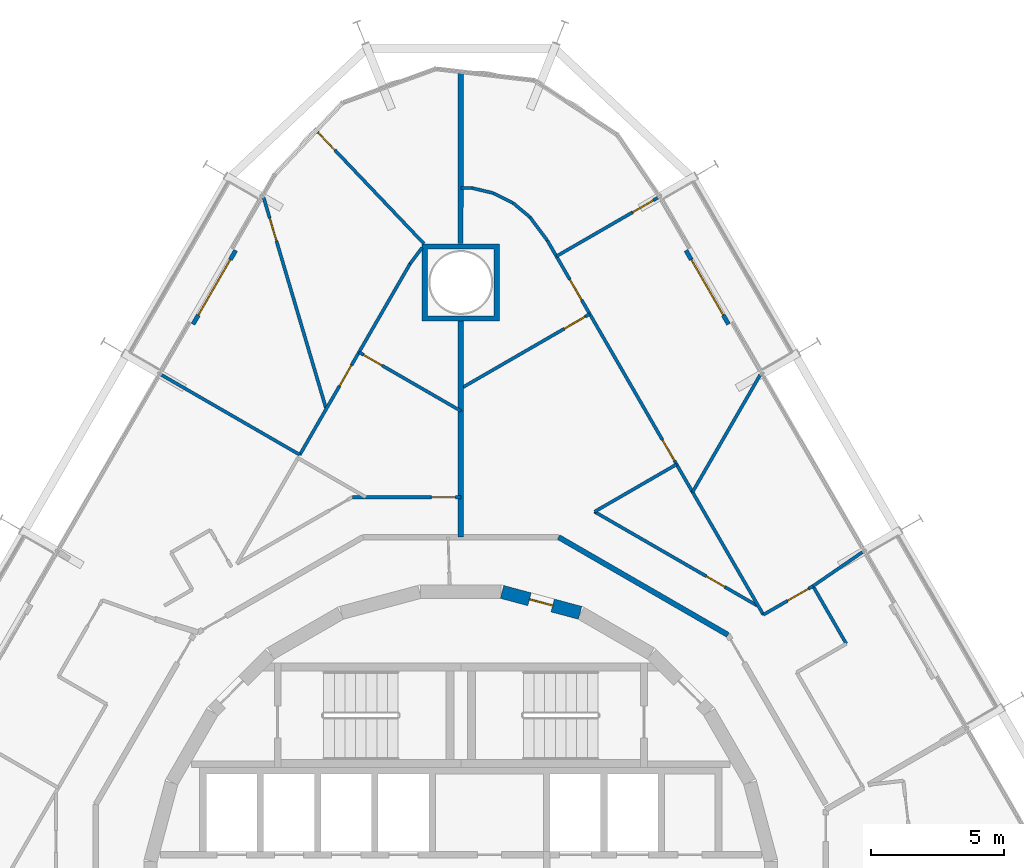
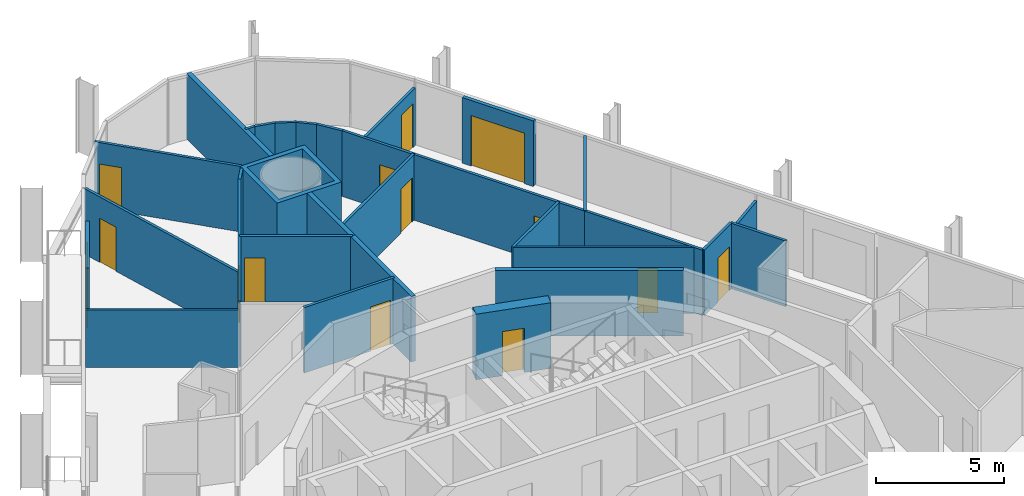
# One storey, part 18 of 21: 30 walls, 14 doors, 14 openings.
"""IFC4 building model written with IfcOpenShell, lengths in metres."""

from ifc_helpers import new_model, si_unit, direction, frame, frame_2d, origin, place, context, subcontext, project, spatial, polyline, rectangle, outline, extrude, material, layer, layer_set, type_object, element, fill, save


model = new_model("IFC4")

# Units and contexts
model_context = context("Model", 3, precision=1e-05, world=origin(), true_north=direction((0.0, 1.0)))
body_context = subcontext(model_context, "Body", "Model", "MODEL_VIEW")
ifc_project = project(units=[si_unit("LENGTHUNIT", "METRE"), si_unit("AREAUNIT", "SQUARE_METRE"), si_unit("VOLUMEUNIT", "CUBIC_METRE"), si_unit("PLANEANGLEUNIT", "RADIAN"), si_unit("MASSUNIT", "GRAM", prefix="KILO")], contexts=[model_context])

# Site, building, storey
site_placement = place(None, origin())
site = spatial("IfcSite", under=ifc_project, at=site_placement, CompositionType="ELEMENT")
building_placement = place(site_placement, origin())
building = spatial("IfcBuilding", under=site, at=building_placement, Name="Spindle Arch Residences", CompositionType="ELEMENT")
storey_placement = place(building_placement, frame((0.0, 0.0, 62.89990234375)))
storey = spatial("IfcBuildingStorey", under=building, at=storey_placement, Name="L14", CompositionType="ELEMENT", Elevation=62.89990234375)

# Wall, opening, door
ifc_material_1 = material(Name="Concrete C50/60", Category="concrete")
ifc_layer_1 = layer(ifc_material_1, 0.5)
ifc_layer_set_1 = layer_set([ifc_layer_1], Name="Core outline wall 500")
wall_type_1 = type_object("IfcWallType", Name="Core outline wall 500", PredefinedType="SHEAR", material=ifc_layer_set_1)
wall_1_placement = place(storey_placement, frame((4.479248046875, 10.858154296875, 0.0), z_axis=(0.0, 0.0, 1.0), x_axis=(-0.965948410781, 0.258734743916, 0.0)))
wall_1 = element("IfcWall", 1, at=wall_1_placement, inside=storey, type_object=wall_type_1, Name="Core outline wall 11", PredefinedType="SHEAR", context=body_context, shape_type="SweptSolid", body=[
    extrude(rectangle(XDim=3.03271484375, YDim=0.5, at=frame_2d((1.516357421875, 0.0))), origin(), (0.0, 0.0, 1.0), 3.1201171875),
])
opening_1_placement = place(wall_1_placement, frame((1.066162109375, 0.0, 0.0)))
opening_1 = element("IfcOpeningElement", 2, at=opening_1_placement, cuts=wall_1, Name="Opening R1C1-WD09", PredefinedType="OPENING", context=body_context, shape_type="SweptSolid", body=[
    extrude(rectangle(XDim=0.89990234375, YDim=2.10009765625, at=frame_2d((0.449951171875, 1.050048828125))), frame((0.0, 0.260009765625, 0.0), z_axis=(0.0, -1.0, 0.0), x_axis=(1.0, 0.0, 0.0)), (0.0, 0.0, 1.0), 0.52001953125),
])
ifc_material_2 = material(Name="Steel, fire-resisting door", Category="steel")
door_type_1 = type_object("IfcDoorType", Name="Service room door 900x2100", OperationType="SINGLE_SWING_LEFT", PredefinedType="DOOR", material=ifc_material_2)
door_1_placement = place(opening_1_placement, origin())
door_1 = element("IfcDoor", 3, at=door_1_placement, inside=storey, type_object=door_type_1, Name="Service room door R1C1-WD09", OperationType="SINGLE_SWING_RIGHT", OverallHeight=2.10009765625, OverallWidth=0.89990234375, PredefinedType="DOOR", context=body_context, shape_type="SweptSolid", body=[
    extrude(rectangle(XDim=0.89990234375, YDim=2.10009765625, at=frame_2d((0.449951171875, 1.050048828125))), frame((0.0, 0.02490234375, 0.0), z_axis=(0.0, -1.0, 0.0), x_axis=(1.0, 0.0, 0.0)), (0.0, 0.0, 1.0), 0.050048828125),
])
fill(opening_1, door_1)

# Walls
ifc_material_3 = material(Name="Calcium silicate block, plastered")
ifc_layer_2 = layer(ifc_material_3, 0.199951171875)
ifc_layer_set_2 = layer_set([ifc_layer_2], Name="Corridor wall 200")
wall_type_2 = type_object("IfcWallType", Name="Corridor wall 200", PredefinedType="STANDARD", material=ifc_layer_set_2)
wall_2_placement = place(storey_placement, frame((10.029052734375, 10.029052734375, 0.0), z_axis=(0.0, 0.0, 1.0), x_axis=(-0.866024439905, 0.500001669485, 0.0)))
element("IfcWall", 4, at=wall_2_placement, inside=storey, type_object=wall_type_2, Name="Corridor wall R1C1-W005", PredefinedType="STANDARD", context=body_context, shape_type="SweptSolid", body=[
    extrude(rectangle(XDim=7.341796875, YDim=0.199951171875, at=frame_2d((3.6708984375, 0.0))), origin(), (0.0, 0.0, 1.0), 3.1201171875),
])
ifc_material_4 = material(Name="Plasterboard on steel studs", Category="steel")
ifc_layer_3 = layer(ifc_material_4, 0.1201171875)
ifc_layer_set_3 = layer_set([ifc_layer_3], Name="Flat partition 120")
wall_type_3 = type_object("IfcWallType", Name="Flat partition 120", PredefinedType="PARTITIONING", material=ifc_layer_set_3)
wall_3_placement = place(storey_placement, frame((14.470703125, 9.697021484375, 0.0), z_axis=(0.0, 0.0, 1.0), x_axis=(-0.500004234368, 0.866022959057, 0.0)))
element("IfcWall", 5, at=wall_3_placement, inside=storey, type_object=wall_type_3, Name="Flat partition R1C1-W034", PredefinedType="PARTITIONING", context=body_context, shape_type="SweptSolid", body=[
    extrude(rectangle(XDim=2.5, YDim=0.1201171875, at=frame_2d((1.25, 0.0))), origin(), (0.0, 0.0, 1.0), 3.1201171875),
])

# Wall, opening, door
wall_4_placement = place(storey_placement, frame((13.220703125, 11.862060546875, 0.0), z_axis=(0.0, 0.0, 1.0), x_axis=(-0.866055151781, -0.499948471418, 0.0)))
wall_4 = element("IfcWall", 6, at=wall_4_placement, inside=storey, type_object=wall_type_3, Name="Flat partition R1C1-W035", PredefinedType="PARTITIONING", context=body_context, shape_type="SweptSolid", body=[
    extrude(rectangle(XDim=2.150634765625, YDim=0.1201171875, at=frame_2d((1.0751953125, 0.0))), origin(), (0.0, 0.0, 1.0), 3.1201171875),
])
opening_2_placement = place(wall_4_placement, frame((0.199951171875, 0.0, 0.0)))
opening_2 = element("IfcOpeningElement", 7, at=opening_2_placement, cuts=wall_4, Name="Opening R1C1-ID02", PredefinedType="OPENING", context=body_context, shape_type="SweptSolid", body=[
    extrude(rectangle(XDim=0.89990234375, YDim=2.10009765625, at=frame_2d((0.449951171875, 1.050048828125))), frame((0.0, 0.070068359375, 0.0), z_axis=(0.0, -1.0, 0.0), x_axis=(1.0, 0.0, 0.0)), (0.0, 0.0, 1.0), 0.14013671875),
])
ifc_material_5 = material(Name="Timber door set", Category="wood")
door_type_2 = type_object("IfcDoorType", Name="Room door 900x2100", OperationType="NOTDEFINED", PredefinedType="DOOR", material=ifc_material_5)
door_2_placement = place(opening_2_placement, origin())
door_2 = element("IfcDoor", 8, at=door_2_placement, inside=storey, type_object=door_type_2, Name="Room door R1C1-ID02", OperationType="SINGLE_SWING_RIGHT", OverallHeight=2.10009765625, OverallWidth=0.89990234375, PredefinedType="DOOR", context=body_context, shape_type="SweptSolid", body=[
    extrude(rectangle(XDim=0.89990234375, YDim=2.10009765625, at=frame_2d((0.449951171875, 1.050048828125))), frame((0.0, 0.02490234375, 0.0), z_axis=(0.0, -1.0, 0.0), x_axis=(1.0, 0.0, 0.0)), (0.0, 0.0, 1.0), 0.050048828125),
])
fill(opening_2, door_2)

wall_5_placement = place(storey_placement, frame((11.127197265625, 11.127197265625, 0.0), z_axis=(0.0, 0.0, 1.0), x_axis=(-0.86602299963, 0.500004164094, 0.0)))
wall_5 = element("IfcWall", 9, at=wall_5_placement, inside=storey, type_object=wall_type_3, Name="Flat partition R1C1-W036", PredefinedType="PARTITIONING", context=body_context, shape_type="SweptSolid", body=[
    extrude(rectangle(XDim=7.0517578125, YDim=0.1201171875, at=frame_2d((3.52587890625, 0.0))), origin(), (0.0, 0.0, 1.0), 3.1201171875),
])
opening_3_placement = place(wall_5_placement, frame((1.39990234375, 0.0, 0.0)))
opening_3 = element("IfcOpeningElement", 10, at=opening_3_placement, cuts=wall_5, Name="Opening R1C1-BD01", PredefinedType="OPENING", context=body_context, shape_type="SweptSolid", body=[
    extrude(rectangle(XDim=0.800048828125, YDim=2.10009765625, at=frame_2d((0.39990234375, 1.050048828125))), frame((0.0, 0.070068359375, 0.0), z_axis=(0.0, -1.0, 0.0), x_axis=(1.0, 0.0, 0.0)), (0.0, 0.0, 1.0), 0.14013671875),
])
ifc_material_6 = material(Name="Timber door set", Category="wood")
door_type_3 = type_object("IfcDoorType", Name="Bathroom door 800x2100", OperationType="NOTDEFINED", PredefinedType="DOOR", material=ifc_material_6)
door_3_placement = place(opening_3_placement, origin())
door_3 = element("IfcDoor", 11, at=door_3_placement, inside=storey, type_object=door_type_3, Name="Bathroom door R1C1-BD01", OperationType="SINGLE_SWING_RIGHT", OverallHeight=2.10009765625, OverallWidth=0.800048828125, PredefinedType="DOOR", context=body_context, shape_type="SweptSolid", body=[
    extrude(rectangle(XDim=0.800048828125, YDim=2.10009765625, at=frame_2d((0.39990234375, 1.050048828125))), frame((0.0, 0.02490234375, 0.0), z_axis=(0.0, -1.0, 0.0), x_axis=(1.0, 0.0, 0.0)), (0.0, 0.0, 1.0), 0.050048828125),
])
fill(opening_3, door_3)

# Wall
wall_6_placement = place(storey_placement, frame((5.020263671875, 14.653076171875, 0.0), z_axis=(0.0, 0.0, 1.0), x_axis=(0.866028940167, 0.499993874756, 0.0)))
element("IfcWall", 12, at=wall_6_placement, inside=storey, type_object=wall_type_3, Name="Flat partition R1C1-W037", PredefinedType="PARTITIONING", context=body_context, shape_type="SweptSolid", body=[
    extrude(rectangle(XDim=3.5556640625, YDim=0.1201171875, at=frame_2d((1.77783203125, 0.0))), origin(), (0.0, 0.0, 1.0), 3.1201171875),
])

# Wall, openings, doors
wall_7_placement = place(storey_placement, frame((8.69970703125, 15.3916015625, 0.0), z_axis=(0.0, 0.0, 1.0), x_axis=(-0.500002742713, 0.866023820272, 0.0)))
wall_7 = element("IfcWall", 13, at=wall_7_placement, inside=storey, type_object=wall_type_3, Name="Flat partition R1C1-W038", PredefinedType="PARTITIONING", context=body_context, shape_type="SweptSolid", body=[
    extrude(rectangle(XDim=10.90771484375, YDim=0.1201171875, at=frame_2d((5.453857421875, 0.0))), origin(), (0.0, 0.0, 1.0), 3.1201171875),
])
opening_4_placement = place(wall_7_placement, frame((1.360107421875, 0.0, 0.0)))
opening_4 = element("IfcOpeningElement", 14, at=opening_4_placement, cuts=wall_7, Name="Opening R1C1-ID03", PredefinedType="OPENING", context=body_context, shape_type="SweptSolid", body=[
    extrude(rectangle(XDim=0.89990234375, YDim=2.10009765625, at=frame_2d((0.449951171875, 1.050048828125))), frame((0.0, 0.070068359375, 0.0), z_axis=(0.0, -1.0, 0.0), x_axis=(1.0, 0.0, 0.0)), (0.0, 0.0, 1.0), 0.14013671875),
])
opening_5_placement = place(wall_7_placement, frame((8.3173828125, 0.0, 0.0)))
opening_5 = element("IfcOpeningElement", 15, at=opening_5_placement, cuts=wall_7, Name="Opening R1C1-ID06", PredefinedType="OPENING", context=body_context, shape_type="SweptSolid", body=[
    extrude(rectangle(XDim=0.89990234375, YDim=2.10009765625, at=frame_2d((0.449951171875, 1.050048828125))), frame((0.0, 0.070068359375, 0.0), z_axis=(0.0, -1.0, 0.0), x_axis=(1.0, 0.0, 0.0)), (0.0, 0.0, 1.0), 0.14013671875),
])
door_4_placement = place(opening_4_placement, origin())
door_4 = element("IfcDoor", 16, at=door_4_placement, inside=storey, type_object=door_type_2, Name="Room door R1C1-ID03", OperationType="SINGLE_SWING_RIGHT", OverallHeight=2.10009765625, OverallWidth=0.89990234375, PredefinedType="DOOR", context=body_context, shape_type="SweptSolid", body=[
    extrude(rectangle(XDim=0.89990234375, YDim=2.10009765625, at=frame_2d((0.449951171875, 1.050048828125))), frame((0.0, 0.02490234375, 0.0), z_axis=(0.0, -1.0, 0.0), x_axis=(1.0, 0.0, 0.0)), (0.0, 0.0, 1.0), 0.050048828125),
])
fill(opening_4, door_4)
door_5_placement = place(opening_5_placement, origin())
door_5 = element("IfcDoor", 17, at=door_5_placement, inside=storey, type_object=door_type_2, Name="Room door R1C1-ID06", OperationType="SINGLE_SWING_LEFT", OverallHeight=2.10009765625, OverallWidth=0.89990234375, PredefinedType="DOOR", context=body_context, shape_type="SweptSolid", body=[
    extrude(rectangle(XDim=0.89990234375, YDim=2.10009765625, at=frame_2d((0.449951171875, 1.050048828125))), frame((0.0, 0.02490234375, 0.0), z_axis=(0.0, -1.0, 0.0), x_axis=(1.0, 0.0, 0.0)), (0.0, 0.0, 1.0), 0.050048828125),
])
fill(opening_5, door_5)

# Wall, opening, door
wall_8_placement = place(storey_placement, frame((4.8408203125, 22.0751953125, 0.0), z_axis=(0.0, 0.0, 1.0), x_axis=(-0.866019751484, -0.500009789943, 0.0)))
wall_8 = element("IfcWall", 18, at=wall_8_placement, inside=storey, type_object=wall_type_3, Name="Flat partition R1C1-W039", PredefinedType="PARTITIONING", context=body_context, shape_type="SweptSolid", body=[
    extrude(rectangle(XDim=5.58984375, YDim=0.1201171875, at=frame_2d((2.794921875, 0.0))), origin(), (0.0, 0.0, 1.0), 3.1201171875),
])
opening_6_placement = place(wall_8_placement, frame((0.199951171875, 0.0, 0.0)))
opening_6 = element("IfcOpeningElement", 19, at=opening_6_placement, cuts=wall_8, Name="Opening R1C1-ID04", PredefinedType="OPENING", context=body_context, shape_type="SweptSolid", body=[
    extrude(rectangle(XDim=0.89990234375, YDim=2.10009765625, at=frame_2d((0.449951171875, 1.050048828125))), frame((0.0, 0.070068359375, 0.0), z_axis=(0.0, -1.0, 0.0), x_axis=(1.0, 0.0, 0.0)), (0.0, 0.0, 1.0), 0.14013671875),
])
door_6_placement = place(opening_6_placement, origin())
door_6 = element("IfcDoor", 20, at=door_6_placement, inside=storey, type_object=door_type_2, Name="Room door R1C1-ID04", OperationType="SINGLE_SWING_RIGHT", OverallHeight=2.10009765625, OverallWidth=0.89990234375, PredefinedType="DOOR", context=body_context, shape_type="SweptSolid", body=[
    extrude(rectangle(XDim=0.89990234375, YDim=2.10009765625, at=frame_2d((0.449951171875, 1.050048828125))), frame((0.0, 0.02490234375, 0.0), z_axis=(0.0, -1.0, 0.0), x_axis=(1.0, 0.0, 0.0)), (0.0, 0.0, 1.0), 0.050048828125),
])
fill(opening_6, door_6)

# Walls
wall_9_placement = place(storey_placement, frame((8.69970703125, 15.3916015625, 0.0), z_axis=(0.0, 0.0, 1.0), x_axis=(0.499986106925, -0.866033424806, 0.0)))
element("IfcWall", 21, at=wall_9_placement, inside=storey, type_object=wall_type_3, Name="Flat partition R1C1-W041", PredefinedType="PARTITIONING", context=body_context, shape_type="SweptSolid", body=[
    extrude(rectangle(XDim=5.317138671875, YDim=0.1201171875, at=frame_2d((2.65869140625, 0.0))), origin(), (0.0, 0.0, 1.0), 3.1201171875),
])
wall_10_placement = place(storey_placement, frame((11.239990234375, 19.791748046875, 0.0), z_axis=(0.0, 0.0, 1.0), x_axis=(-0.499978956711, -0.866037552792, 0.0)))
element("IfcWall", 22, at=wall_10_placement, inside=storey, type_object=wall_type_3, Name="Flat partition R1C1-W042", PredefinedType="PARTITIONING", context=body_context, shape_type="SweptSolid", body=[
    extrude(rectangle(XDim=5.080810546875, YDim=0.1201171875, at=frame_2d((2.54052734375, 0.0))), origin(), (0.0, 0.0, 1.0), 3.1201171875),
])
wall_11_placement = place(storey_placement, frame((0.0, 26.8056640625, 0.0), z_axis=(0.0, 0.0, 1.0), x_axis=(1.0, 0.0, 0.0)))
element("IfcWall", 23, at=wall_11_placement, inside=storey, type_object=wall_type_3, Name="Flat partition R1C1-W044", PredefinedType="PARTITIONING", context=body_context, shape_type="SweptSolid", body=[
    extrude(rectangle(XDim=0.41455078125, YDim=0.1201171875, at=frame_2d((0.207275390625, 0.0))), origin(), (0.0, 0.0, 1.0), 3.1201171875),
])
wall_12_placement = place(storey_placement, frame((0.41455078125, 26.8056640625, 0.0), z_axis=(0.0, 0.0, 1.0), x_axis=(0.973048993259, -0.230598475097, 0.0)))
element("IfcWall", 24, at=wall_12_placement, inside=storey, type_object=wall_type_3, Name="Flat partition R1C1-W045", PredefinedType="PARTITIONING", context=body_context, shape_type="SweptSolid", body=[
    extrude(rectangle(XDim=0.8291015625, YDim=0.1201171875, at=frame_2d((0.41455078125, 0.0))), origin(), (0.0, 0.0, 1.0), 3.1201171875),
])
for number, where, z_axis, x_axis, name in (
    (25, (1.22119140625, 26.614501953125, 0.0), (0.0, 0.0, 1.0), (0.893719110379, -0.448626962791, 0.0), "Flat partition R1C1-W046"),
    (26, (1.9619140625, 26.24267578125, 0.0), (0.0, 0.0, 1.0), (0.765849913579, -0.643019369748, 0.0), "Flat partition R1C1-W047"),
):
    element("IfcWall", number, at=place(storey_placement, frame(where, z_axis=z_axis, x_axis=x_axis)), inside=storey, type_object=wall_type_3, Name=name, PredefinedType="PARTITIONING", context=body_context, shape_type="SweptSolid", body=[
        extrude(rectangle(XDim=0.828857421875, YDim=0.1201171875, at=frame_2d((0.41455078125, 0.0))), origin(), (0.0, 0.0, 1.0), 3.1201171875),
    ])
wall_13_placement = place(storey_placement, frame((2.5966796875, 25.709716796875, 0.0), z_axis=(0.0, 0.0, 1.0), x_axis=(0.59722925597, -0.802070580319, 0.0)))
element("IfcWall", 27, at=wall_13_placement, inside=storey, type_object=wall_type_3, Name="Flat partition R1C1-W048", PredefinedType="PARTITIONING", context=body_context, shape_type="SweptSolid", body=[
    extrude(rectangle(XDim=1.0869140625, YDim=0.1201171875, at=frame_2d((0.54345703125, 0.0))), origin(), (0.0, 0.0, 1.0), 3.1201171875),
])

# Wall, opening, door
wall_14_placement = place(storey_placement, frame((0.0, 15.199951171875, 0.0), z_axis=(0.0, 0.0, 1.0), x_axis=(-1.0, 0.0, 0.0)))
wall_14 = element("IfcWall", 28, at=wall_14_placement, inside=storey, type_object=wall_type_3, Name="Flat partition R1C1-W049", PredefinedType="PARTITIONING", context=body_context, shape_type="SweptSolid", body=[
    extrude(rectangle(XDim=4.07275390625, YDim=0.1201171875, at=frame_2d((2.036376953125, 0.0))), origin(), (0.0, 0.0, 1.0), 3.1201171875),
])
opening_7_placement = place(wall_14_placement, frame((0.199951171875, 0.0, 0.0)))
opening_7 = element("IfcOpeningElement", 29, at=opening_7_placement, cuts=wall_14, Name="Opening R1C1-ID07", PredefinedType="OPENING", context=body_context, shape_type="SweptSolid", body=[
    extrude(rectangle(XDim=0.89990234375, YDim=2.10009765625, at=frame_2d((0.449951171875, 1.050048828125))), frame((0.0, 0.070068359375, 0.0), z_axis=(0.0, -1.0, 0.0), x_axis=(1.0, 0.0, 0.0)), (0.0, 0.0, 1.0), 0.14013671875),
])
door_7_placement = place(opening_7_placement, origin())
door_7 = element("IfcDoor", 30, at=door_7_placement, inside=storey, type_object=door_type_2, Name="Room door R1C1-ID07", OperationType="SINGLE_SWING_RIGHT", OverallHeight=2.10009765625, OverallWidth=0.89990234375, PredefinedType="DOOR", context=body_context, shape_type="SweptSolid", body=[
    extrude(rectangle(XDim=0.89990234375, YDim=2.10009765625, at=frame_2d((0.449951171875, 1.050048828125))), frame((0.0, 0.02490234375, 0.0), z_axis=(0.0, -1.0, 0.0), x_axis=(1.0, 0.0, 0.0)), (0.0, 0.0, 1.0), 0.050048828125),
])
fill(opening_7, door_7)

wall_15_placement = place(storey_placement, frame((-5.487060546875, 29.0283203125, 0.0), z_axis=(0.0, 0.0, 1.0), x_axis=(0.689189638576, -0.724581011398, 0.0)))
wall_15 = element("IfcWall", 31, at=wall_15_placement, inside=storey, type_object=wall_type_3, Name="Flat partition R1C1-W055", PredefinedType="PARTITIONING", context=body_context, shape_type="SweptSolid", body=[
    extrude(rectangle(XDim=5.960205078125, YDim=0.1201171875, at=frame_2d((2.97998046875, 0.0))), origin(), (0.0, 0.0, 1.0), 3.1201171875),
])
opening_8_placement = place(wall_15_placement, frame((0.199951171875, 0.0, 0.0)))
opening_8 = element("IfcOpeningElement", 32, at=opening_8_placement, cuts=wall_15, Name="Opening R1C1-ID10", PredefinedType="OPENING", context=body_context, shape_type="SweptSolid", body=[
    extrude(rectangle(XDim=0.89990234375, YDim=2.10009765625, at=frame_2d((0.449951171875, 1.050048828125))), frame((0.0, 0.070068359375, 0.0), z_axis=(0.0, -1.0, 0.0), x_axis=(1.0, 0.0, 0.0)), (0.0, 0.0, 1.0), 0.14013671875),
])
door_8_placement = place(opening_8_placement, origin())
door_8 = element("IfcDoor", 33, at=door_8_placement, inside=storey, type_object=door_type_2, Name="Room door R1C1-ID10", OperationType="SINGLE_SWING_LEFT", OverallHeight=2.10009765625, OverallWidth=0.89990234375, PredefinedType="DOOR", context=body_context, shape_type="SweptSolid", body=[
    extrude(rectangle(XDim=0.89990234375, YDim=2.10009765625, at=frame_2d((0.449951171875, 1.050048828125))), frame((0.0, 0.02490234375, 0.0), z_axis=(0.0, -1.0, 0.0), x_axis=(1.0, 0.0, 0.0)), (0.0, 0.0, 1.0), 0.050048828125),
])
fill(opening_8, door_8)

wall_16_placement = place(storey_placement, frame((-3.820556640625, 20.642578125, 0.0), z_axis=(0.0, 0.0, 1.0), x_axis=(0.866024310165, -0.5000018942, 0.0)))
wall_16 = element("IfcWall", 34, at=wall_16_placement, inside=storey, type_object=wall_type_3, Name="Flat partition R1C1-W056", PredefinedType="PARTITIONING", context=body_context, shape_type="SweptSolid", body=[
    extrude(rectangle(XDim=4.41162109375, YDim=0.1201171875, at=frame_2d((2.205810546875, 0.0))), origin(), (0.0, 0.0, 1.0), 3.1201171875),
])
opening_9_placement = place(wall_16_placement, frame((0.199951171875, 0.0, 0.0)))
opening_9 = element("IfcOpeningElement", 35, at=opening_9_placement, cuts=wall_16, Name="Opening R1C1-BD03", PredefinedType="OPENING", context=body_context, shape_type="SweptSolid", body=[
    extrude(rectangle(XDim=0.800048828125, YDim=2.10009765625, at=frame_2d((0.39990234375, 1.050048828125))), frame((0.0, 0.070068359375, 0.0), z_axis=(0.0, -1.0, 0.0), x_axis=(1.0, 0.0, 0.0)), (0.0, 0.0, 1.0), 0.14013671875),
])
door_9_placement = place(opening_9_placement, origin())
door_9 = element("IfcDoor", 36, at=door_9_placement, inside=storey, type_object=door_type_3, Name="Bathroom door R1C1-BD03", OperationType="SINGLE_SWING_LEFT", OverallHeight=2.10009765625, OverallWidth=0.800048828125, PredefinedType="DOOR", context=body_context, shape_type="SweptSolid", body=[
    extrude(rectangle(XDim=0.800048828125, YDim=2.10009765625, at=frame_2d((0.39990234375, 1.050048828125))), frame((0.0, 0.02490234375, 0.0), z_axis=(0.0, -1.0, 0.0), x_axis=(1.0, 0.0, 0.0)), (0.0, 0.0, 1.0), 0.050048828125),
])
fill(opening_9, door_9)

# Wall
wall_17_placement = place(storey_placement, frame((-1.449951171875, 24.57080078125, 0.0), z_axis=(0.0, 0.0, 1.0), x_axis=(-0.597187509737, -0.802101663266, 0.0)))
element("IfcWall", 37, at=wall_17_placement, inside=storey, type_object=wall_type_3, Name="Flat partition R1C1-W057", PredefinedType="PARTITIONING", context=body_context, shape_type="SweptSolid", body=[
    extrude(rectangle(XDim=0.764892578125, YDim=0.1201171875, at=frame_2d((0.38232421875, 0.0))), origin(), (0.0, 0.0, 1.0), 3.1201171875),
])

# Wall, opening, door
wall_18_placement = place(storey_placement, frame((-1.90673828125, 23.957275390625, 0.0), z_axis=(0.0, 0.0, 1.0), x_axis=(-0.499994901178, -0.866028347571, 0.0)))
wall_18 = element("IfcWall", 38, at=wall_18_placement, inside=storey, type_object=wall_type_3, Name="Flat partition R1C1-W058", PredefinedType="PARTITIONING", context=body_context, shape_type="SweptSolid", body=[
    extrude(rectangle(XDim=8.27392578125, YDim=0.1201171875, at=frame_2d((4.136962890625, 0.0))), origin(), (0.0, 0.0, 1.0), 3.1201171875),
])
opening_10_placement = place(wall_18_placement, frame((4.387451171875, 0.0, 0.0)))
opening_10 = element("IfcOpeningElement", 39, at=opening_10_placement, cuts=wall_18, Name="Opening R1C1-ID09", PredefinedType="OPENING", context=body_context, shape_type="SweptSolid", body=[
    extrude(rectangle(XDim=0.89990234375, YDim=2.10009765625, at=frame_2d((0.449951171875, 1.050048828125))), frame((0.0, 0.070068359375, 0.0), z_axis=(0.0, -1.0, 0.0), x_axis=(1.0, 0.0, 0.0)), (0.0, 0.0, 1.0), 0.14013671875),
])
door_10_placement = place(opening_10_placement, origin())
door_10 = element("IfcDoor", 40, at=door_10_placement, inside=storey, type_object=door_type_2, Name="Room door R1C1-ID09", OperationType="SINGLE_SWING_LEFT", OverallHeight=2.10009765625, OverallWidth=0.89990234375, PredefinedType="DOOR", context=body_context, shape_type="SweptSolid", body=[
    extrude(rectangle(XDim=0.89990234375, YDim=2.10009765625, at=frame_2d((0.449951171875, 1.050048828125))), frame((0.0, 0.02490234375, 0.0), z_axis=(0.0, -1.0, 0.0), x_axis=(1.0, 0.0, 0.0)), (0.0, 0.0, 1.0), 0.050048828125),
])
fill(opening_10, door_10)

wall_19_placement = place(storey_placement, frame((-7.39990234375, 26.44287109375, 0.0), z_axis=(0.0, 0.0, 1.0), x_axis=(0.283777867447, -0.95889004685, 0.0)))
wall_19 = element("IfcWall", 41, at=wall_19_placement, inside=storey, type_object=wall_type_3, Name="Flat partition R1C1-W060", PredefinedType="PARTITIONING", context=body_context, shape_type="SweptSolid", body=[
    extrude(rectangle(XDim=8.273681640625, YDim=0.1201171875, at=frame_2d((4.13671875, 0.0))), origin(), (0.0, 0.0, 1.0), 3.1201171875),
])
opening_11_placement = place(wall_19_placement, frame((0.800048828125, 0.0, 0.0)))
opening_11 = element("IfcOpeningElement", 42, at=opening_11_placement, cuts=wall_19, Name="Opening R1C1-ID11", PredefinedType="OPENING", context=body_context, shape_type="SweptSolid", body=[
    extrude(rectangle(XDim=0.89990234375, YDim=2.10009765625, at=frame_2d((0.449951171875, 1.050048828125))), frame((0.0, 0.070068359375, 0.0), z_axis=(0.0, -1.0, 0.0), x_axis=(1.0, 0.0, 0.0)), (0.0, 0.0, 1.0), 0.14013671875),
])
door_11_placement = place(opening_11_placement, origin())
door_11 = element("IfcDoor", 43, at=door_11_placement, inside=storey, type_object=door_type_2, Name="Room door R1C1-ID11", OperationType="SINGLE_SWING_RIGHT", OverallHeight=2.10009765625, OverallWidth=0.89990234375, PredefinedType="DOOR", context=body_context, shape_type="SweptSolid", body=[
    extrude(rectangle(XDim=0.89990234375, YDim=2.10009765625, at=frame_2d((0.449951171875, 1.050048828125))), frame((0.0, 0.02490234375, 0.0), z_axis=(0.0, -1.0, 0.0), x_axis=(1.0, 0.0, 0.0)), (0.0, 0.0, 1.0), 0.050048828125),
])
fill(opening_11, door_11)

# Wall
ifc_material_7 = material(Name="Plasterboard on steel studs", Category="steel")
ifc_layer_4 = layer(ifc_material_7, 0.1201171875)
ifc_layer_set_4 = layer_set([ifc_layer_4], Name="Flat partition 120 under beam 2730")
wall_type_4 = type_object("IfcWallType", Name="Flat partition 120 under beam 2730", PredefinedType="PARTITIONING", material=ifc_layer_set_4)
wall_20_placement = place(storey_placement, frame((15.080078125, 13.140380859375, 0.0), z_axis=(0.0, 0.0, 1.0), x_axis=(-0.824041924199, -0.566528822887, 0.0)))
element("IfcWall", 44, at=wall_20_placement, inside=storey, type_object=wall_type_4, Name="Flat partition R1C1-W040", PredefinedType="PARTITIONING", context=body_context, shape_type="SweptSolid", body=[
    extrude(rectangle(XDim=2.25634765625, YDim=0.1201171875, at=frame_2d((1.128173828125, 0.0))), origin(), (0.0, 0.0, 1.0), 2.72998046875),
])

# Wall, opening, door
wall_21_placement = place(storey_placement, frame((7.39990234375, 26.44287109375, 0.0), z_axis=(0.0, 0.0, 1.0), x_axis=(-0.866032203192, -0.499988222896, 0.0)))
wall_21 = element("IfcWall", 45, at=wall_21_placement, inside=storey, type_object=wall_type_4, Name="Flat partition R1C1-W043", PredefinedType="PARTITIONING", context=body_context, shape_type="SweptSolid", body=[
    extrude(rectangle(XDim=4.39990234375, YDim=0.1201171875, at=frame_2d((2.199951171875, 0.0))), origin(), (0.0, 0.0, 1.0), 2.72998046875),
])
opening_12_placement = place(wall_21_placement, frame((0.199951171875, 0.0, 0.0)))
opening_12 = element("IfcOpeningElement", 46, at=opening_12_placement, cuts=wall_21, Name="Opening R1C1-ID05", PredefinedType="OPENING", context=body_context, shape_type="SweptSolid", body=[
    extrude(rectangle(XDim=0.89990234375, YDim=2.10009765625, at=frame_2d((0.449951171875, 1.050048828125))), frame((0.0, 0.070068359375, 0.0), z_axis=(0.0, -1.0, 0.0), x_axis=(1.0, 0.0, 0.0)), (0.0, 0.0, 1.0), 0.14013671875),
])
door_12_placement = place(opening_12_placement, origin())
door_12 = element("IfcDoor", 47, at=door_12_placement, inside=storey, type_object=door_type_2, Name="Room door R1C1-ID05", OperationType="SINGLE_SWING_RIGHT", OverallHeight=2.10009765625, OverallWidth=0.89990234375, PredefinedType="DOOR", context=body_context, shape_type="SweptSolid", body=[
    extrude(rectangle(XDim=0.89990234375, YDim=2.10009765625, at=frame_2d((0.449951171875, 1.050048828125))), frame((0.0, 0.02490234375, 0.0), z_axis=(0.0, -1.0, 0.0), x_axis=(1.0, 0.0, 0.0)), (0.0, 0.0, 1.0), 0.050048828125),
])
fill(opening_12, door_12)

# Walls
wall_22_placement = place(storey_placement, frame((-11.239990234375, 19.791748046875, 0.0), z_axis=(0.0, 0.0, 1.0), x_axis=(0.866031096941, -0.499990139034, 0.0)))
element("IfcWall", 48, at=wall_22_placement, inside=storey, type_object=wall_type_4, Name="Flat partition R1C1-W061", PredefinedType="PARTITIONING", context=body_context, shape_type="SweptSolid", body=[
    extrude(rectangle(XDim=6.0, YDim=0.1201171875, at=frame_2d((3.0, 0.0))), origin(), (0.0, 0.0, 1.0), 2.72998046875),
])
ifc_material_8 = material(Name="Calcium silicate block, plastered")
ifc_layer_5 = layer(ifc_material_8, 0.199951171875)
ifc_layer_set_5 = layer_set([ifc_layer_5], Name="Flat party wall 200")
wall_type_5 = type_object("IfcWallType", Name="Flat party wall 200", PredefinedType="STANDARD", material=ifc_layer_set_5)
wall_23_placement = place(storey_placement, frame((0.0, 18.436767578125, 0.0), z_axis=(0.0, 0.0, 1.0), x_axis=(0.0, -1.0, 0.0)))
element("IfcWall", 49, at=wall_23_placement, inside=storey, type_object=wall_type_5, Name="Flat party wall R1C1-W017", PredefinedType="STANDARD", context=body_context, shape_type="SweptSolid", body=[
    extrude(rectangle(XDim=4.73681640625, YDim=0.199951171875, at=frame_2d((2.368408203125, 0.0))), origin(), (0.0, 0.0, 1.0), 3.1201171875),
])
wall_24_placement = place(storey_placement, frame((0.0, 21.809814453125, 0.0), z_axis=(0.0, 0.0, 1.0), x_axis=(0.0, -1.0, 0.0)))
element("IfcWall", 50, at=wall_24_placement, inside=storey, type_object=wall_type_5, Name="Flat party wall R1C1-W018", PredefinedType="STANDARD", context=body_context, shape_type="SweptSolid", body=[
    extrude(rectangle(XDim=3.373046875, YDim=0.199951171875, at=frame_2d((1.6865234375, 0.0))), origin(), (0.0, 0.0, 1.0), 3.1201171875),
])
wall_25_placement = place(storey_placement, frame((0.0, 31.205810546875, 0.0), z_axis=(0.0, 0.0, 1.0), x_axis=(-0.001543266126, -0.999998809164, 0.0)))
element("IfcWall", 51, at=wall_25_placement, inside=storey, type_object=wall_type_5, Name="Flat party wall R1C1-W021", PredefinedType="STANDARD", context=body_context, shape_type="SweptSolid", body=[
    extrude(rectangle(XDim=6.486083984375, YDim=0.199951171875, at=frame_2d((3.2431640625, 0.0))), origin(), (0.0, 0.0, 1.0), 3.1201171875),
])

# Wall, opening, door
ifc_material_9 = material(Name="Non-combustible mineral wool insulated aluminium faced external wall (K0)", Category="aluminium")
ifc_layer_6 = layer(ifc_material_9, 0.159912109375)
ifc_layer_set_6 = layer_set([ifc_layer_6], Name="Insulated external wall panel 160")
wall_type_6 = type_object("IfcWallType", Name="Insulated external wall panel 160", PredefinedType="STANDARD", material=ifc_layer_set_6)
wall_26_placement = place(storey_placement, frame((10.050537109375, 21.691650390625, 0.0), z_axis=(0.0, 0.0, 1.0), x_axis=(-0.499971222258, 0.866042017984, 0.0)))
wall_26 = element("IfcWall", 52, at=wall_26_placement, inside=storey, type_object=wall_type_6, Name="External wall L14 bay 10", PredefinedType="STANDARD", context=body_context, shape_type="SweptSolid", body=[
    extrude(rectangle(XDim=3.199951171875, YDim=0.159912109375, at=frame_2d((1.60009765625, 0.0))), origin(), (0.0, 0.0, 1.0), 3.1201171875),
])
opening_13_placement = place(wall_26_placement, frame((0.39990234375, 0.0, 0.0)))
opening_13 = element("IfcOpeningElement", 53, at=opening_13_placement, cuts=wall_26, Name="Opening BD10", PredefinedType="OPENING", context=body_context, shape_type="SweptSolid", body=[
    extrude(rectangle(XDim=2.39990234375, YDim=2.39990234375, at=frame_2d((1.199951171875, 1.199951171875))), frame((0.0, 0.08984375, 0.0), z_axis=(0.0, -1.0, 0.0), x_axis=(1.0, 0.0, 0.0)), (0.0, 0.0, 1.0), 0.179931640625),
])
ifc_material_10 = material(Name="Bronze aluminium frame, tinted double glazing", Category="aluminium")
door_type_4 = type_object("IfcDoorType", Name="Sliding glazed balcony door 2400x2400", OperationType="DOUBLE_DOOR_SLIDING", PredefinedType="DOOR", material=ifc_material_10)
door_13_placement = place(opening_13_placement, origin())
door_13 = element("IfcDoor", 54, at=door_13_placement, inside=storey, type_object=door_type_4, Name="Balcony door BD10", OperationType="DOUBLE_DOOR_SLIDING", OverallHeight=2.39990234375, OverallWidth=2.39990234375, PredefinedType="DOOR", context=body_context, shape_type="SweptSolid", body=[
    extrude(rectangle(XDim=2.39990234375, YDim=2.39990234375, at=frame_2d((1.199951171875, 1.199951171875))), frame((0.0, 0.02490234375, 0.0), z_axis=(0.0, -1.0, 0.0), x_axis=(1.0, 0.0, 0.0)), (0.0, 0.0, 1.0), 0.050048828125),
])
fill(opening_13, door_13)

wall_27_placement = place(storey_placement, frame((-8.45068359375, 24.462890625, 0.0), z_axis=(0.0, 0.0, 1.0), x_axis=(-0.499971222258, -0.866042017984, 0.0)))
wall_27 = element("IfcWall", 55, at=wall_27_placement, inside=storey, type_object=wall_type_6, Name="External wall L14 bay 14", PredefinedType="STANDARD", context=body_context, shape_type="SweptSolid", body=[
    extrude(rectangle(XDim=3.199951171875, YDim=0.159912109375, at=frame_2d((1.60009765625, 0.0))), origin(), (0.0, 0.0, 1.0), 3.1201171875),
])
opening_14_placement = place(wall_27_placement, frame((0.39990234375, 0.0, 0.0)))
opening_14 = element("IfcOpeningElement", 56, at=opening_14_placement, cuts=wall_27, Name="Opening BD14", PredefinedType="OPENING", context=body_context, shape_type="SweptSolid", body=[
    extrude(rectangle(XDim=2.39990234375, YDim=2.39990234375, at=frame_2d((1.199951171875, 1.199951171875))), frame((0.0, 0.08984375, 0.0), z_axis=(0.0, -1.0, 0.0), x_axis=(1.0, 0.0, 0.0)), (0.0, 0.0, 1.0), 0.179931640625),
])
door_14_placement = place(opening_14_placement, origin())
door_14 = element("IfcDoor", 57, at=door_14_placement, inside=storey, type_object=door_type_4, Name="Balcony door BD14", OperationType="DOUBLE_DOOR_SLIDING", OverallHeight=2.39990234375, OverallWidth=2.39990234375, PredefinedType="DOOR", context=body_context, shape_type="SweptSolid", body=[
    extrude(rectangle(XDim=2.39990234375, YDim=2.39990234375, at=frame_2d((1.199951171875, 1.199951171875))), frame((0.0, 0.02490234375, 0.0), z_axis=(0.0, -1.0, 0.0), x_axis=(1.0, 0.0, 0.0)), (0.0, 0.0, 1.0), 0.050048828125),
])
fill(opening_14, door_14)

# Wall
ifc_material_11 = material(Name="Calcium silicate block, plastered")
ifc_layer_7 = layer(ifc_material_11, 0.199951171875)
ifc_layer_set_7 = layer_set([ifc_layer_7], Name="Mega-column casing wall 200")
wall_type_7 = type_object("IfcWallType", Name="Mega-column casing wall 200", PredefinedType="STANDARD", material=ifc_layer_set_7)
wall_28_placement = place(storey_placement, origin())
element("IfcWall", 58, at=wall_28_placement, inside=storey, type_object=wall_type_7, Name="Mega-column casing wall R1C1-WC01", PredefinedType="STANDARD", context=body_context, shape_type="SweptSolid", body=[
    extrude(outline(polyline([(1.449951171875, 24.709716796875), (1.449951171875, 21.809814453125), (-1.449951171875, 21.809814453125), (-1.449951171875, 24.709716796875), (1.449951171875, 24.709716796875)]), holes=[polyline([(-1.25, 22.009765625), (1.25, 22.009765625), (1.25, 24.509765625), (-1.25, 24.509765625), (-1.25, 22.009765625)])]), origin(), (0.0, 0.0, 1.0), 3.1201171875),
])

save(model, "model.ifc")
